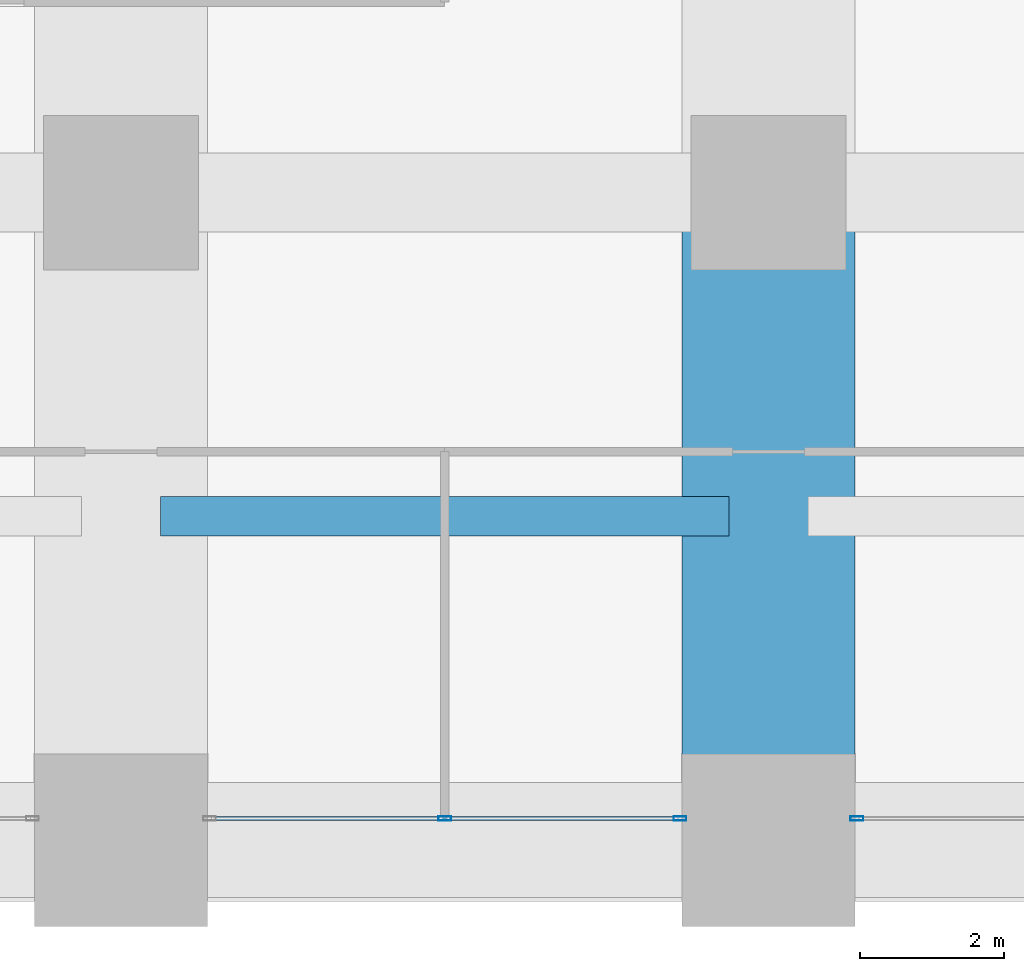
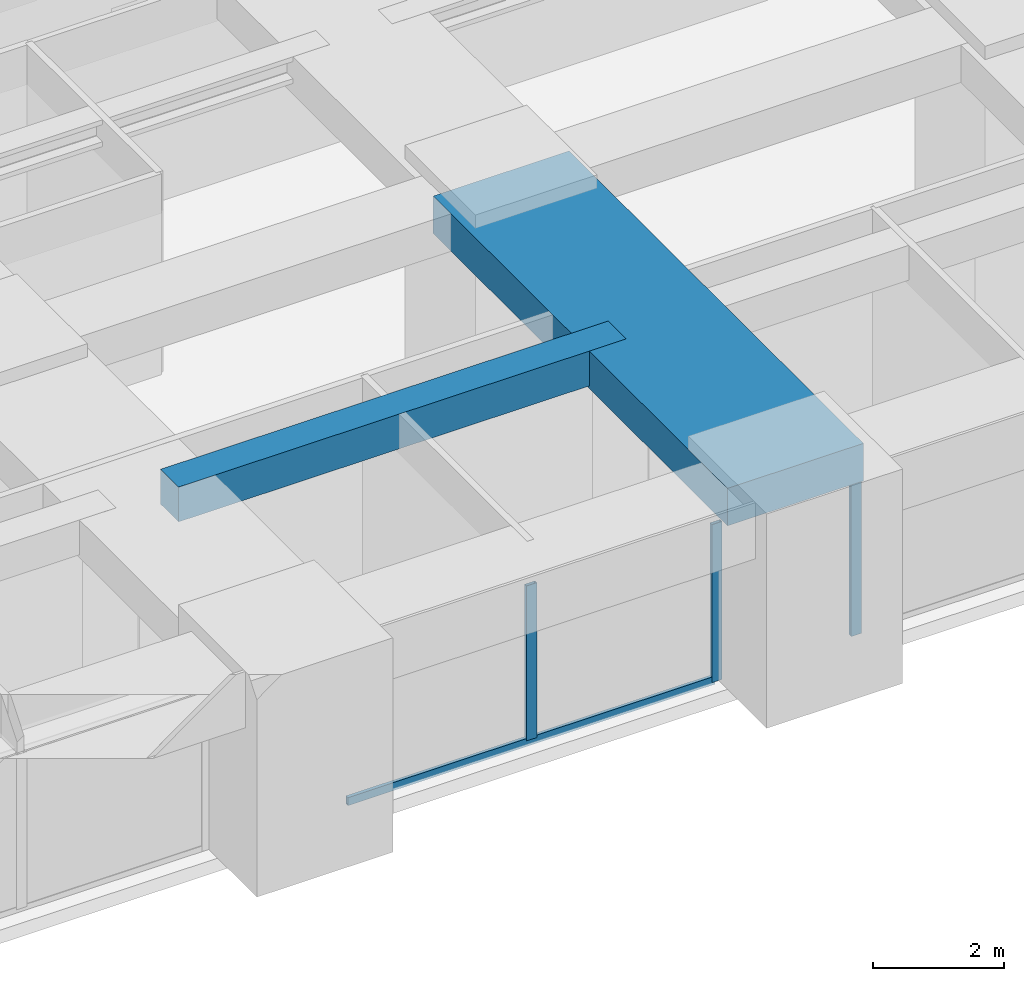
# One storey, part 12 of 45: 4 members, 2 beams, 2 elements without a shape of their own.
"""IFC4 building model written with IfcOpenShell, lengths in metres."""

from ifc_helpers import new_model, si_unit, direction, frame, origin, origin_2d, place, context, subcontext, project, spatial, rectangle, hollow_rectangle, extrude, material, material_profile, profile_set, type_object, element, aggregate, save


model = new_model("IFC4")

# Units and contexts
model_context = context("Model", 3, precision=1e-05, world=origin(), true_north=direction((0.0, 1.0)))
body_context = subcontext(model_context, "Body", "Model", "MODEL_VIEW")
ifc_project = project(units=[si_unit("LENGTHUNIT", "METRE"), si_unit("AREAUNIT", "SQUARE_METRE"), si_unit("VOLUMEUNIT", "CUBIC_METRE"), si_unit("PLANEANGLEUNIT", "RADIAN"), si_unit("MASSUNIT", "GRAM", prefix="KILO")], contexts=[model_context])

# Site, building, storey
site_placement = place(None, origin())
site = spatial("IfcSite", under=ifc_project, at=site_placement, CompositionType="ELEMENT")
building_placement = place(site_placement, origin())
building = spatial("IfcBuilding", under=site, at=building_placement, Name="Zorevar Civic Tower", CompositionType="ELEMENT")
storey_placement = place(building_placement, frame((0.0, 0.0, 71.800048828125)))
storey = spatial("IfcBuildingStorey", under=building, at=storey_placement, Name="L17", CompositionType="ELEMENT", Elevation=71.800048828125)

# Beams
ifc_material_1 = material(Name="Concrete C50/60", Category="concrete")
ifc_material_profile_1 = material_profile(ifc_material_1, rectangle(XDim=2.39990234375, YDim=0.699951171875, at=origin_2d()), Name="RC 2400x700")
ifc_profile_set_1 = profile_set([ifc_material_profile_1], Name="Concrete C50/60")
beam_type_1 = type_object("IfcBeamType", Name="Beam RC 2400x700", PredefinedType="BEAM", material=ifc_profile_set_1)
beam_1_placement = place(storey_placement, frame((36.0, 0.0, 3.39990234375), z_axis=(0.0, 1.0, 0.0), x_axis=(-1.0, 0.0, 0.0)))
element("IfcBeam", 1, at=beam_1_placement, inside=storey, type_object=beam_type_1, Name="Girder L18", PredefinedType="BEAM", context=body_context, shape_type="SweptSolid", body=[
    extrude(rectangle(XDim=2.39990234375, YDim=0.699951171875, at=origin_2d()), origin(), (0.0, 0.0, 1.0), 9.0),
])
ifc_material_2 = material(Name="Concrete C50/60", Category="concrete")
ifc_material_profile_2 = material_profile(ifc_material_2, rectangle(XDim=0.550048828125, YDim=0.64990234375, at=origin_2d()), Name="RC 550x650")
ifc_profile_set_2 = profile_set([ifc_material_profile_2], Name="Concrete C50/60")
beam_type_2 = type_object("IfcBeamType", Name="Beam RC 550x650", PredefinedType="BEAM", material=ifc_profile_set_2)
beam_2_placement = place(storey_placement, frame((27.550048828125, 4.5, 3.425048828125), z_axis=(1.0, 0.0, 0.0), x_axis=(0.0, 1.0, 0.0)))
element("IfcBeam", 2, at=beam_2_placement, inside=storey, type_object=beam_type_2, Name="Secondary beam L18", PredefinedType="BEAM", context=body_context, shape_type="SweptSolid", body=[
    extrude(rectangle(XDim=0.550048828125, YDim=0.64990234375, at=origin_2d()), origin(), (0.0, 0.0, 1.0), 7.89990234375),
])

# Curtain wall, members
ifc_material_3 = material(Name="Dark grey solar-control glass in black aluminium frame", Category="aluminium")
curtain_wall_type = type_object("IfcCurtainWallType", Name="Curtain wall CW2 low zone", PredefinedType="NOTDEFINED", material=ifc_material_3)
curtain_wall_1_placement = place(storey_placement, origin())
curtain_wall_1 = element("IfcCurtainWall", 3, at=curtain_wall_1_placement, inside=storey, type_object=curtain_wall_type, Name="CW2 L17", PredefinedType="NOTDEFINED")
ifc_material_4 = material(Name="Aluminium, black anodised", Category="aluminium")
ifc_material_profile_3 = material_profile(ifc_material_4, hollow_rectangle(XDim=0.06005859375, YDim=0.179931640625, WallThickness=0.00390625, at=origin_2d()), Name="AL 180x60x4")
ifc_profile_set_3 = profile_set([ifc_material_profile_3], Name="Aluminium, black anodised")
member_type_1 = type_object("IfcMemberType", Name="CW2 mullion AL 180x60x4", PredefinedType="MULLION", material=ifc_profile_set_3)
member_1_placement = place(storey_placement, frame((31.5, 0.300048828125, 0.06005859375), z_axis=(0.0, 0.0, 1.0), x_axis=(0.0, 1.0, 0.0)))
member_1 = element("IfcMember", 4, at=member_1_placement, type_object=member_type_1, Name="CW2 mullion 2", PredefinedType="MULLION", context=body_context, shape_type="SweptSolid", body=[
    extrude(hollow_rectangle(XDim=0.06005859375, YDim=0.179931640625, WallThickness=0.00390625, at=origin_2d()), origin(), (0.0, 0.0, 1.0), 2.889892578125),
])
member_2_placement = place(storey_placement, frame((34.77001953125, 0.300048828125, 0.0), z_axis=(0.0, 0.0, 1.0), x_axis=(0.0, 1.0, 0.0)))
member_2 = element("IfcMember", 5, at=member_2_placement, type_object=member_type_1, Name="CW2 mullion 3", PredefinedType="MULLION", context=body_context, shape_type="SweptSolid", body=[
    extrude(hollow_rectangle(XDim=0.06005859375, YDim=0.179931640625, WallThickness=0.00390625, at=origin_2d()), origin(), (0.0, 0.0, 1.0), 2.949951171875),
])

# Curtain wall, member
curtain_wall_2_placement = place(storey_placement, origin())
curtain_wall_2 = element("IfcCurtainWall", 6, at=curtain_wall_2_placement, inside=storey, type_object=curtain_wall_type, Name="CW2 L17", PredefinedType="NOTDEFINED")
member_3_placement = place(storey_placement, frame((37.22998046875, 0.300048828125, 0.0), z_axis=(0.0, 0.0, 1.0), x_axis=(0.0, 1.0, 0.0)))
member_3 = element("IfcMember", 7, at=member_3_placement, type_object=member_type_1, Name="CW2 mullion 1", PredefinedType="MULLION", context=body_context, shape_type="SweptSolid", body=[
    extrude(hollow_rectangle(XDim=0.06005859375, YDim=0.179931640625, WallThickness=0.00390625, at=origin_2d()), origin(), (0.0, 0.0, 1.0), 2.949951171875),
])
aggregate(curtain_wall_2, [member_3])

# Member
ifc_material_5 = material(Name="Aluminium, black anodised", Category="aluminium")
ifc_material_profile_4 = material_profile(ifc_material_5, hollow_rectangle(XDim=0.06005859375, YDim=0.14990234375, WallThickness=0.00390625, at=origin_2d()), Name="AL 150x60x4")
ifc_profile_set_4 = profile_set([ifc_material_profile_4], Name="Aluminium, black anodised")
member_type_2 = type_object("IfcMemberType", Name="CW2 transom AL 150x60x4", PredefinedType="USERDEFINED", material=ifc_profile_set_4)
member_4_placement = place(storey_placement, frame((28.260009765625, 0.300048828125, 0.030029296875), z_axis=(1.0, 0.0, 0.0), x_axis=(0.0, 1.0, 0.0)))
member_4 = element("IfcMember", 8, at=member_4_placement, type_object=member_type_2, Name="CW2 sill transom", ObjectType="TRANSOM", PredefinedType="USERDEFINED", context=body_context, shape_type="SweptSolid", body=[
    extrude(hollow_rectangle(XDim=0.06005859375, YDim=0.14990234375, WallThickness=0.00390625, at=origin_2d()), origin(), (0.0, 0.0, 1.0), 6.47998046875),
])

aggregate(curtain_wall_1, [member_1, member_2, member_4])

save(model, "model.ifc")
